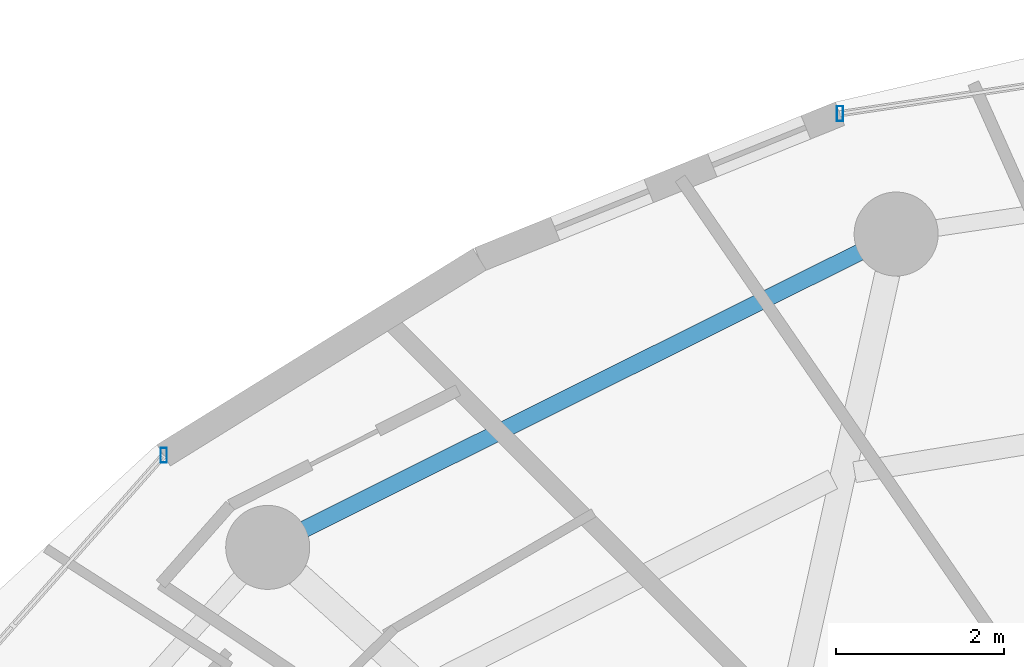
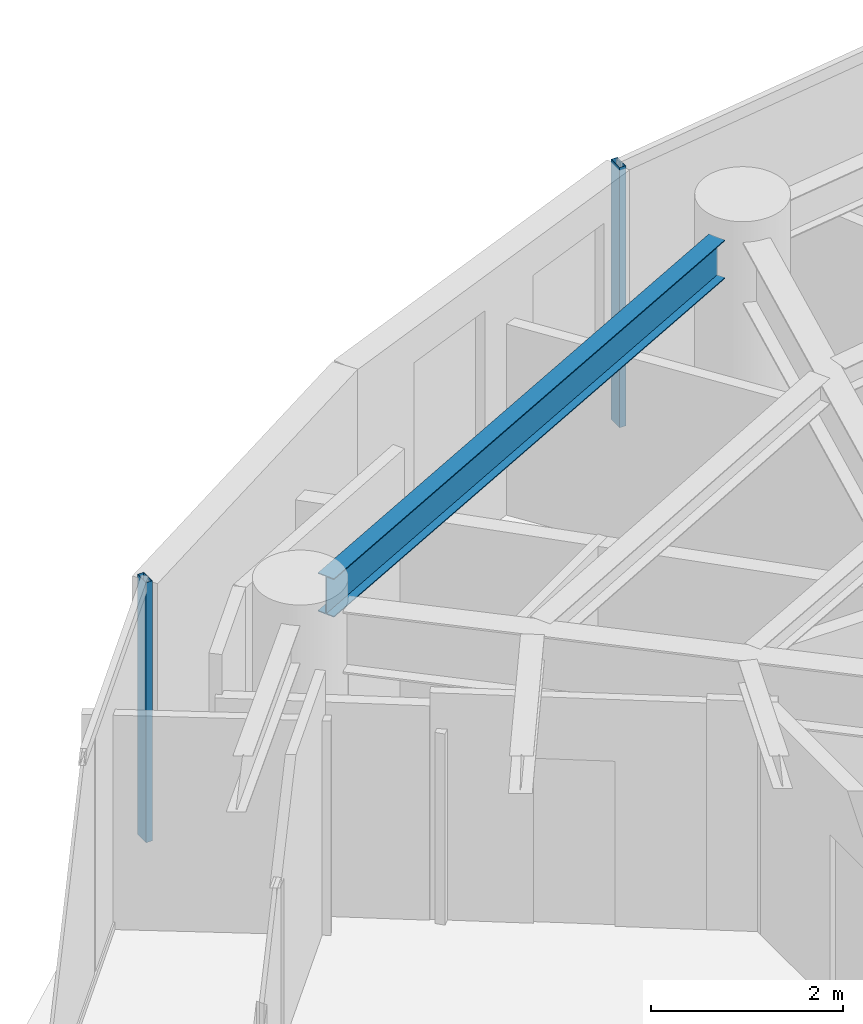
# One storey, part 15 of 28: 2 members, 1 beam, 2 elements without a shape of their own.
"""IFC4 building model written with IfcOpenShell, lengths in metres."""

import ifcopenshell
import ifcopenshell.guid

model = None  # the IFC model being written
_history = None  # IfcOwnerHistory: only IFC2X3 demands one
_inside = {}  # id of a spatial element -> (the spatial element, [elements in it])
_under = {}  # id of a project, library or spatial element -> (it, [spatial elements below it])
_declared = {}  # id of a project -> (the project, [libraries it declares])
_typed = {}  # id of a type object -> (the type object, [elements of that type])
_made_of = {}  # id of a material, layer set ... -> (it, [elements and type objects made of it])


def new_model(schema):
    """Start an empty IFC model of exactly this schema.

    Asked for "IFC4X3", IfcOpenShell would pick the latest addendum, in which some entities
    have other attributes; the version numbers below select the first issue.
    IFC2X3 requires an IfcOwnerHistory on every rooted entity: one is made here for all.
    """
    global model, _history
    if schema == "IFC4X3":
        model = ifcopenshell.file(schema_version=(4, 3, 0, 0))
    else:
        model = ifcopenshell.file(schema=schema)
    _inside.clear()
    _under.clear()
    _declared.clear()
    _typed.clear()
    _made_of.clear()
    _history = None
    if model.schema == "IFC2X3":
        org = make("IfcOrganization", Name="unknown")
        user = make(
            "IfcPersonAndOrganization",
            ThePerson=make("IfcPerson", FamilyName="unknown"),
            TheOrganization=org,
        )
        app = make(
            "IfcApplication",
            ApplicationDeveloper=org,
            Version="unknown",
            ApplicationFullName="unknown",
            ApplicationIdentifier="unknown",
        )
        _history = make(
            "IfcOwnerHistory",
            OwningUser=user,
            OwningApplication=app,
            ChangeAction="ADDED",
            CreationDate=0,
        )
    return model


def make(cls, **values):
    """One entity of the class cls with the attributes given. An attribute that is None is left unset."""
    return model.create_entity(
        cls, **{name: value for name, value in values.items() if value is not None}
    )


def rooted(cls, **values):
    """An entity with a GlobalId (a new one), such as an element, a storey or a relation."""
    return make(cls, GlobalId=ifcopenshell.guid.new(), OwnerHistory=_history, **values)


def si_unit(unit_type, name, prefix=None):
    """IfcSIUnit, for example si_unit("LENGTHUNIT", "METRE", prefix="MILLI")."""
    return make("IfcSIUnit", UnitType=unit_type, Prefix=prefix, Name=name)


def assignment(units):
    """IfcUnitAssignment: the units of a project."""
    return None if units is None else make("IfcUnitAssignment", Units=units)


def point(xyz):
    """IfcCartesianPoint."""
    return None if xyz is None else make("IfcCartesianPoint", Coordinates=xyz)


def direction(xyz):
    """IfcDirection."""
    return None if xyz is None else make("IfcDirection", DirectionRatios=xyz)


def frame(location, z_axis=None, x_axis=None):
    """IfcAxis2Placement3D, a coordinate frame: its origin and axes. An axis left out is left unset."""
    return make(
        "IfcAxis2Placement3D",
        Location=point(location),
        Axis=direction(z_axis),
        RefDirection=direction(x_axis),
    )


def frame_2d(location, x_axis=None):
    """IfcAxis2Placement2D, a coordinate frame in the plane: its origin and x axis."""
    return make(
        "IfcAxis2Placement2D", Location=point(location), RefDirection=direction(x_axis)
    )


def origin():
    """The frame at (0, 0, 0) with its axes left unset."""
    return frame((0.0, 0.0, 0.0))


def origin_2d():
    """The frame at (0, 0) in the plane with its x axis left unset."""
    return frame_2d((0.0, 0.0))


def place(relative_to, where):
    """IfcLocalPlacement: puts the frame where relative to a parent placement (None: the world)."""
    return make(
        "IfcLocalPlacement", PlacementRelTo=relative_to, RelativePlacement=where
    )


def context(
    kind, dimensions, precision=None, world=None, true_north=None, identifier=None
):
    """IfcGeometricRepresentationContext, for example the 3D "Model" context."""
    return make(
        "IfcGeometricRepresentationContext",
        ContextIdentifier=identifier,
        ContextType=kind,
        CoordinateSpaceDimension=dimensions,
        Precision=precision,
        WorldCoordinateSystem=world,
        TrueNorth=true_north,
    )


def subcontext(parent, identifier, kind, view, scale=None):
    """IfcGeometricRepresentationSubContext, for example "Body" below "Model"."""
    return make(
        "IfcGeometricRepresentationSubContext",
        ContextIdentifier=identifier,
        ContextType=kind,
        ParentContext=parent,
        TargetScale=scale,
        TargetView=view,
    )


def project(units=None, contexts=None):
    """IfcProject with its units and contexts."""
    return rooted(
        "IfcProject",
        Name="project",
        RepresentationContexts=contexts,
        UnitsInContext=assignment(units),
    )


def spatial(cls, under=None, at=None, **own):
    """A site, building, storey or space (cls), placed at a placement, below another one or the project."""
    s = rooted(cls, ObjectPlacement=at, **own)
    if under is not None:
        _under.setdefault(under.id(), (under, []))[1].append(s)
    return s


def profile(cls, at=None, kind="AREA", **sizes):
    """A parametric profile (cls). Its sizes go by their IFC names, for example OverallWidth=200.0."""
    return make(cls, ProfileType=kind, Position=at, **sizes)


def hollow_rectangle(**sizes):
    """IfcRectangleHollowProfileDef."""
    return profile("IfcRectangleHollowProfileDef", **sizes)


def i_section(**sizes):
    """IfcIShapeProfileDef."""
    return profile("IfcIShapeProfileDef", **sizes)


def extrude(swept, where, along, depth):
    """IfcExtrudedAreaSolid: the profile swept, set in the frame where, extruded along a direction by depth."""
    return make(
        "IfcExtrudedAreaSolid",
        SweptArea=swept,
        Position=where,
        ExtrudedDirection=direction(along),
        Depth=depth,
    )


def shape(context_of_items, identifier, shape_type, items):
    """IfcShapeRepresentation: the items that make up one representation, for example the "Body"."""
    return make(
        "IfcShapeRepresentation",
        ContextOfItems=context_of_items,
        RepresentationIdentifier=identifier,
        RepresentationType=shape_type,
        Items=items,
    )


def material(Name=None, Category=None):
    """IfcMaterial."""
    return make("IfcMaterial", Name=Name, Category=Category)


def material_profile(
    of_material, cross_section, Name=None, Category=None, Priority=None
):
    """IfcMaterialProfile: a cross section and its material."""
    return make(
        "IfcMaterialProfile",
        Name=Name,
        Material=of_material,
        Profile=cross_section,
        Priority=Priority,
        Category=Category,
    )


def profile_set(profiles, Name=None, composite=None):
    """IfcMaterialProfileSet."""
    return make(
        "IfcMaterialProfileSet",
        Name=Name,
        MaterialProfiles=profiles,
        CompositeProfile=composite,
    )


def made_of(thing, what):
    """Note that an element or type object is made of a material, layer set ...; save() writes the relation."""
    if what is not None:
        _made_of.setdefault(what.id(), (what, []))[1].append(thing)
    return thing


def type_object(cls, material=None, **own):
    """A type object (cls), such as IfcWallType, which elements share."""
    return made_of(rooted(cls, **own), material)


def element(
    cls,
    number,
    at=None,
    inside=None,
    cuts=None,
    type_object=None,
    material=None,
    context=None,
    identifier="Body",
    shape_type=None,
    held_by="IfcProductDefinitionShape",
    body=None,
    shapes=None,
    **own,
):
    """One element of the class cls, such as IfcWall. Its Tag is "e" and its number.

    at: its placement. inside: the storey or other place that contains it. cuts: it is an
    opening in that element (IfcRelVoidsElement). A single representation is given by context,
    identifier, shape_type and body (its items); several are given by shapes. held_by: the class
    of the entity that holds the representations. save() writes the other relations.
    """
    e = rooted(cls, Tag="e%d" % number, ObjectPlacement=at, **own)
    if body is not None:
        shapes = [shape(context, identifier, shape_type, body)]
    if shapes is not None:
        e.Representation = make(held_by, Representations=shapes)
    if inside is not None:
        _inside.setdefault(inside.id(), (inside, []))[1].append(e)
    if cuts is not None:
        rooted(
            "IfcRelVoidsElement", RelatingBuildingElement=cuts, RelatedOpeningElement=e
        )
    if type_object is not None:
        _typed.setdefault(type_object.id(), (type_object, []))[1].append(e)
    return made_of(e, material)


def aggregate(whole, parts):
    """IfcRelAggregates: a whole, such as a stair, and the parts it consists of."""
    return rooted("IfcRelAggregates", RelatingObject=whole, RelatedObjects=parts)


def save(model, path):
    """Write the relations noted so far, then the file.

    IfcRelAggregates (storeys below a building ...), IfcRelContainedInSpatialStructure (elements
    in a storey), IfcRelDefinesByType, IfcRelAssociatesMaterial and IfcRelDeclares: one each for
    every whole, place, type object, material and project.
    """
    for whole, parts in _under.values():
        aggregate(whole, parts)
    for where, things in _inside.values():
        rooted(
            "IfcRelContainedInSpatialStructure",
            RelatedElements=things,
            RelatingStructure=where,
        )
    for kind, things in _typed.values():
        rooted("IfcRelDefinesByType", RelatedObjects=things, RelatingType=kind)
    for what, things in _made_of.values():
        rooted("IfcRelAssociatesMaterial", RelatedObjects=things, RelatingMaterial=what)
    for by, libraries in _declared.values():
        rooted("IfcRelDeclares", RelatingContext=by, RelatedDefinitions=libraries)
    model.write(path)


model = new_model("IFC4")

# Units and contexts
model_context = context("Model", 3, precision=1e-05, world=origin(), true_north=direction((0.0, 1.0)))
body_context = subcontext(model_context, "Body", "Model", "MODEL_VIEW")
ifc_project = project(units=[si_unit("LENGTHUNIT", "METRE"), si_unit("AREAUNIT", "SQUARE_METRE"), si_unit("VOLUMEUNIT", "CUBIC_METRE"), si_unit("PLANEANGLEUNIT", "RADIAN"), si_unit("MASSUNIT", "GRAM", prefix="KILO")], contexts=[model_context])

# Site, building, storey
site_placement = place(None, origin())
site = spatial("IfcSite", under=ifc_project, at=site_placement, CompositionType="ELEMENT")
building_placement = place(site_placement, origin())
building = spatial("IfcBuilding", under=site, at=building_placement, Name="Vorneva Point Tower", CompositionType="ELEMENT")
storey_placement = place(building_placement, frame((0.0, 0.0, 164.10009765625)))
storey = spatial("IfcBuildingStorey", under=building, at=storey_placement, Name="L44", CompositionType="ELEMENT", Elevation=164.10009765625)

# Beam
ifc_material_1 = material(Name="Steel S355", Category="steel")
ifc_material_profile_1 = material_profile(ifc_material_1, i_section(OverallWidth=0.199951171875, OverallDepth=0.491943359375, WebThickness=0.0087890625, FlangeThickness=0.011962890625, at=origin_2d()), Name="50B1")
ifc_profile_set_1 = profile_set([ifc_material_profile_1], Name="Steel S355")
beam_type = type_object("IfcBeamType", Name="BM-SPN-50B1", PredefinedType="SPANDREL", material=ifc_profile_set_1)
beam_placement = place(storey_placement, frame((28.7451171875, 41.67431640625, 2.993896484375), z_axis=(-0.894929061397, -0.446208443518, 0.0), x_axis=(0.446208443518, -0.894929061397, 0.0)))
element("IfcBeam", 1, at=beam_placement, inside=storey, type_object=beam_type, Name="L44 Perimeter Spandrel Ring Beam 06", PredefinedType="SPANDREL", context=body_context, shape_type="SweptSolid", body=[
    extrude(i_section(OverallWidth=0.199951171875, OverallDepth=0.491943359375, WebThickness=0.0087890625, FlangeThickness=0.011962890625, at=origin_2d()), origin(), (0.0, 0.0, 1.0), 7.385986328125),
])

# Curtain wall, member
ifc_material_2 = material(Name="Pale anodised aluminium", Category="aluminium")
curtain_wall_type = type_object("IfcCurtainWallType", Name="CW-RES-SYS", PredefinedType="NOTDEFINED", material=ifc_material_2)
curtain_wall_1_placement = place(storey_placement, origin())
curtain_wall_1 = element("IfcCurtainWall", 2, at=curtain_wall_1_placement, inside=storey, type_object=curtain_wall_type, Name="L44 Unitised Curtain Wall CW-L44-R02", PredefinedType="NOTDEFINED")
ifc_material_profile_2 = material_profile(ifc_material_2, hollow_rectangle(XDim=0.074951171875, YDim=0.179931640625, WallThickness=0.00390625, at=origin_2d()), Name="AL-MUL 180x75x4")
ifc_profile_set_2 = profile_set([ifc_material_profile_2], Name="Pale anodised aluminium")
member_type = type_object("IfcMemberType", Name="CW-MUL-180", PredefinedType="MULLION", material=ifc_profile_set_2)
member_1_placement = place(storey_placement, frame((28.509521484375, 43.32275390625, -0.0400390625), z_axis=(0.0, 0.0, 1.0), x_axis=(1.0, 0.0, 0.0)))
member_1 = element("IfcMember", 3, at=member_1_placement, type_object=member_type, Name="CW-L44-R02 Mullion 03", PredefinedType="MULLION", context=body_context, shape_type="SweptSolid", body=[
    extrude(hollow_rectangle(XDim=0.074951171875, YDim=0.179931640625, WallThickness=0.00390625, at=origin_2d()), origin(), (0.0, 0.0, 1.0), 3.31005859375),
])
aggregate(curtain_wall_1, [member_1])

curtain_wall_2_placement = place(storey_placement, origin())
curtain_wall_2 = element("IfcCurtainWall", 4, at=curtain_wall_2_placement, inside=storey, type_object=curtain_wall_type, Name="L44 Unitised Curtain Wall CW-L44-R03", PredefinedType="NOTDEFINED")
member_2_placement = place(storey_placement, frame((20.4638671875, 39.25830078125, -0.0400390625), z_axis=(0.0, 0.0, 1.0), x_axis=(1.0, 0.0, 0.0)))
member_2 = element("IfcMember", 5, at=member_2_placement, type_object=member_type, Name="CW-L44-R03 Mullion 01", PredefinedType="MULLION", context=body_context, shape_type="SweptSolid", body=[
    extrude(hollow_rectangle(XDim=0.074951171875, YDim=0.179931640625, WallThickness=0.00390625, at=origin_2d()), origin(), (0.0, 0.0, 1.0), 3.31005859375),
])
aggregate(curtain_wall_2, [member_2])

save(model, "model.ifc")
